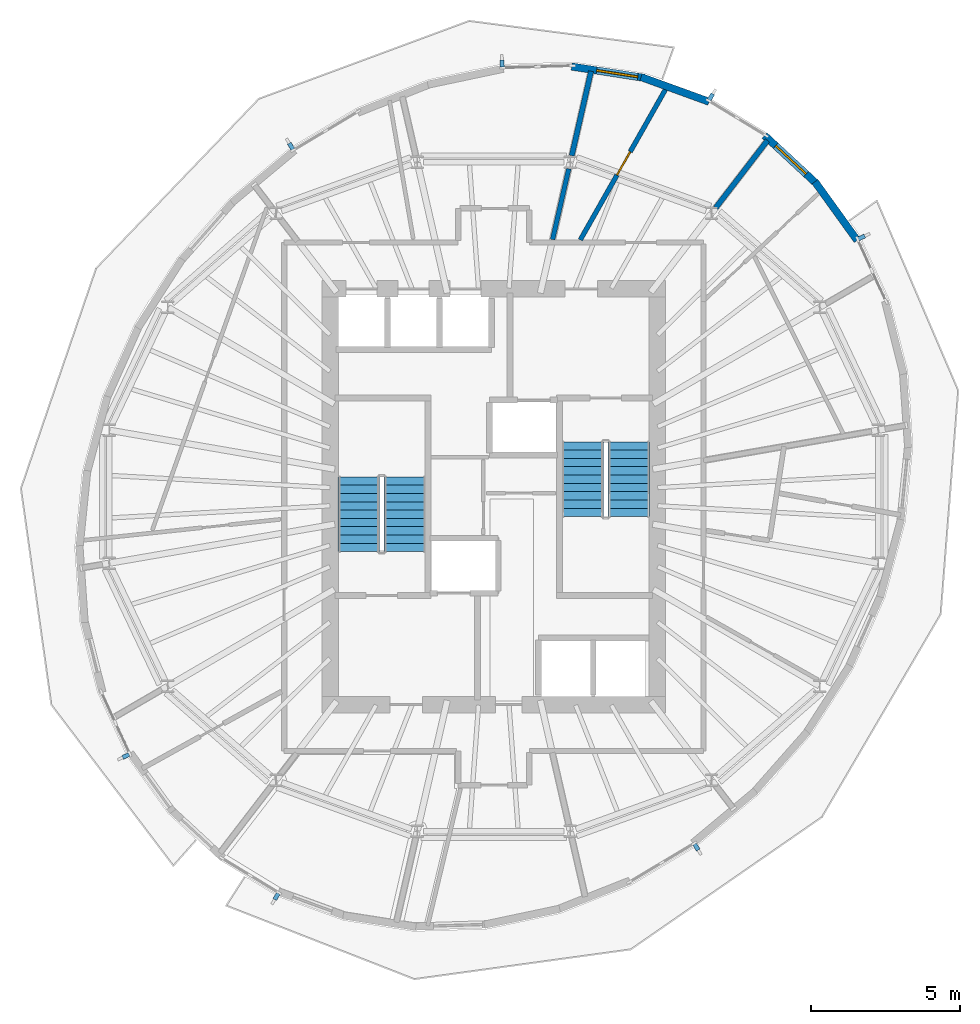
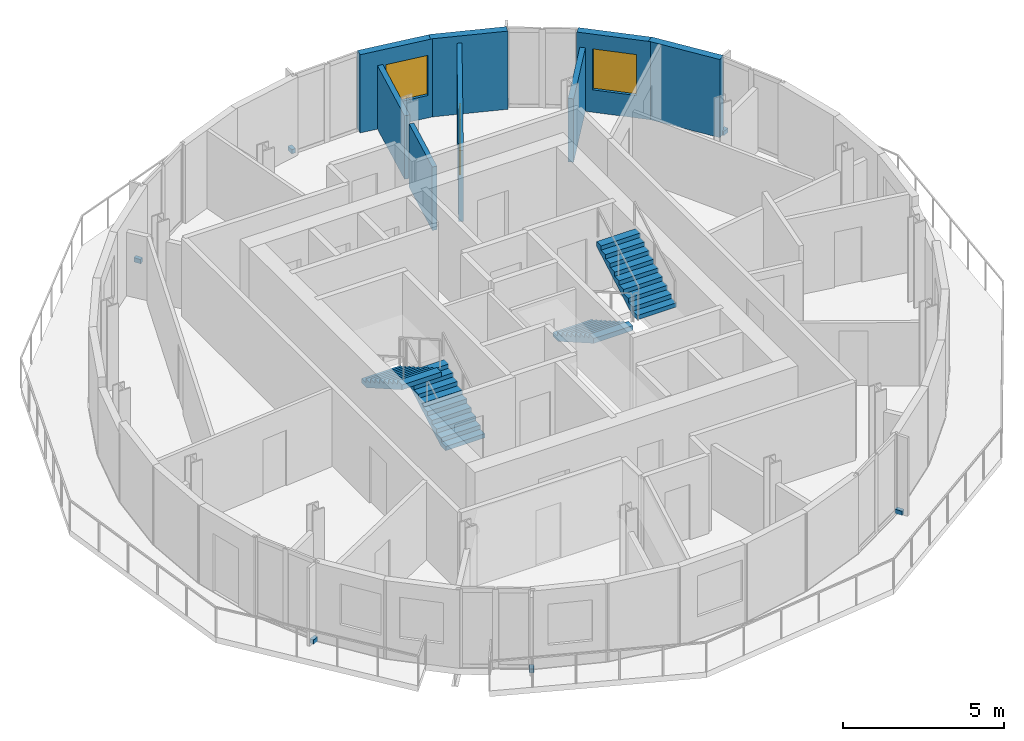
# One storey, part 7 of 11: 8 walls, 7 discrete accessories, 4 stair flights, 2 windows, 1 door, 3 openings, 2 elements without a shape of their own.
"""IFC4 building model written with IfcOpenShell, lengths in metres."""

from ifc_helpers import new_model, si_unit, direction, frame, frame_2d, origin, origin_2d, place, context, subcontext, project, spatial, polyline, rectangle, outline, extrude, material, layer, layer_set, type_object, element, fill, aggregate, save


model = new_model("IFC4")

# Units and contexts
model_context = context("Model", 3, precision=1e-05, world=origin(), true_north=direction((0.0, 1.0)))
body_context = subcontext(model_context, "Body", "Model", "MODEL_VIEW")
ifc_project = project(units=[si_unit("LENGTHUNIT", "METRE"), si_unit("AREAUNIT", "SQUARE_METRE"), si_unit("VOLUMEUNIT", "CUBIC_METRE"), si_unit("PLANEANGLEUNIT", "RADIAN"), si_unit("MASSUNIT", "GRAM", prefix="KILO")], contexts=[model_context])

# Site, building, storey
site_placement = place(None, origin())
site = spatial("IfcSite", under=ifc_project, at=site_placement, CompositionType="ELEMENT")
building_placement = place(site_placement, origin())
building = spatial("IfcBuilding", under=site, at=building_placement, Name="Veldorim Arch Residences", CompositionType="ELEMENT")
storey_placement = place(building_placement, frame((0.0, 0.0, 211.0400390625)))
storey = spatial("IfcBuildingStorey", under=building, at=storey_placement, Name="L63", CompositionType="ELEMENT", Elevation=211.0400390625)

# Walls
ifc_material_1 = material(Name="Lightweight Masonry Block & Gypsum", Category="masonry")
ifc_layer_1 = layer(ifc_material_1, 0.179931640625, Name="Compartment & Corridor Fire-Rated Party Wall 180")
ifc_layer_set_1 = layer_set([ifc_layer_1], Name="Lightweight Masonry Block & Gypsum")
wall_type_1 = type_object("IfcWallType", Name="Compartment & Corridor Fire-Rated Party Wall 180", PredefinedType="PARTITIONING", material=ifc_layer_set_1)
wall_1_placement = place(storey_placement, frame((39.473388671875, 33.727294921875, 0.0), z_axis=(0.0, 0.0, 1.0), x_axis=(0.609244614772, 0.792982344931, 0.0)))
element("IfcWall", 1, at=wall_1_placement, inside=storey, type_object=wall_type_1, Name="L63 interior wall WL-PIER-L63-03", PredefinedType="PARTITIONING", context=body_context, shape_type="SweptSolid", body=[
    extrude(rectangle(XDim=2.86083984375, YDim=0.179931640625, at=frame_2d((1.430419921875, 0.0))), origin(), (0.0, 0.0, 1.0), 2.4033203125),
])
wall_2_placement = place(storey_placement, frame((34.62646484375, 35.483154296875, 0.0), z_axis=(0.0, 0.0, 1.0), x_axis=(0.222945280676, 0.974830960641, 0.0)))
element("IfcWall", 2, at=wall_2_placement, inside=storey, type_object=wall_type_1, Name="L63 interior wall WL-PIER-L63-04", PredefinedType="PARTITIONING", context=body_context, shape_type="SweptSolid", body=[
    extrude(rectangle(XDim=2.916259765625, YDim=0.179931640625, at=frame_2d((1.4580078125, 0.0))), origin(), (0.0, 0.0, 1.0), 2.4033203125),
])
ifc_material_2 = material(Name="Precast concrete C40/50", Category="concrete")
ifc_layer_2 = layer(ifc_material_2, 0.25, Name="Tower Terracotta Spandrel & Pier Wall 250")
ifc_layer_set_2 = layer_set([ifc_layer_2], Name="Precast concrete C40/50")
wall_type_2 = type_object("IfcWallType", Name="Tower Terracotta Spandrel & Pier Wall 250", PredefinedType="SOLIDWALL", material=ifc_layer_set_2)
wall_3_placement = place(storey_placement, frame((36.960205078125, 38.1298828125, 0.0), z_axis=(0.0, 0.0, 1.0), x_axis=(0.939954186413, -0.341300640851, 0.0)))
element("IfcWall", 3, at=wall_3_placement, inside=storey, type_object=wall_type_2, Name="L63 terracotta facade wall 02", PredefinedType="SOLIDWALL", context=body_context, shape_type="SweptSolid", body=[
    extrude(rectangle(XDim=2.43701171875, YDim=0.25, at=frame_2d((1.218505859375, 0.0))), origin(), (0.0, 0.0, 1.0), 2.9599609375),
])

# Wall, opening, window
wall_4_placement = place(storey_placement, frame((34.622314453125, 38.483642578125, 0.0), z_axis=(0.0, 0.0, 1.0), x_axis=(0.988040195026, -0.154196540209, 0.0)))
wall_4 = element("IfcWall", 4, at=wall_4_placement, inside=storey, type_object=wall_type_2, Name="L63 terracotta facade wall 03", PredefinedType="SOLIDWALL", context=body_context, shape_type="SweptSolid", body=[
    extrude(rectangle(XDim=2.477783203125, YDim=0.25, at=frame_2d((1.23876953125, 0.0))), origin(), (0.0, 0.0, 1.0), 2.9599609375),
])
opening_1_placement = place(wall_4_placement, frame((0.85107421875, 0.0, 0.85009765625)))
opening_1 = element("IfcOpeningElement", 5, at=opening_1_placement, cuts=wall_4, Name="Opening WN-02", PredefinedType="OPENING", context=body_context, shape_type="SweptSolid", body=[
    extrude(rectangle(XDim=1.39990234375, YDim=1.52001953125, at=frame_2d((0.699951171875, 0.760009765625))), frame((0.0, 0.135009765625, 0.0), z_axis=(0.0, -1.0, 0.0), x_axis=(1.0, 0.0, 0.0)), (0.0, 0.0, 1.0), 0.27001953125),
])
ifc_material_3 = material(Name="Laminated Low-E Glass", Category="glass")
window_type = type_object("IfcWindowType", Name="Residential Casement Window 1400x1550", PartitioningType="SINGLE_PANEL", PredefinedType="WINDOW", material=ifc_material_3)
window_1_placement = place(opening_1_placement, origin())
window_1 = element("IfcWindow", 6, at=window_1_placement, inside=storey, type_object=window_type, Name="L63 solar-control facade window 03", OverallHeight=1.52001953125, OverallWidth=1.39990234375, PartitioningType="SINGLE_PANEL", PredefinedType="WINDOW", context=body_context, shape_type="SweptSolid", body=[
    extrude(rectangle(XDim=1.39990234375, YDim=1.52001953125, at=frame_2d((0.699951171875, 0.760009765625))), frame((0.0, 0.030029296875, 0.0), z_axis=(0.0, -1.0, 0.0), x_axis=(1.0, 0.0, 0.0)), (0.0, 0.0, 1.0), 0.06005859375),
])
fill(opening_1, window_1)

# Wall
wall_5_placement = place(storey_placement, frame((42.814208984375, 34.60546875, 0.0), z_axis=(0.0, 0.0, 1.0), x_axis=(0.584824573101, -0.811159798497, 0.0)))
element("IfcWall", 7, at=wall_5_placement, inside=storey, type_object=wall_type_2, Name="L63 terracotta facade wall 35", PredefinedType="SOLIDWALL", context=body_context, shape_type="SweptSolid", body=[
    extrude(rectangle(XDim=2.436767578125, YDim=0.25, at=frame_2d((1.21826171875, 0.0))), origin(), (0.0, 0.0, 1.0), 2.9599609375),
])

# Wall, opening, window
wall_6_placement = place(storey_placement, frame((41.118896484375, 36.1611328125, 0.0), z_axis=(0.0, 0.0, 1.0), x_axis=(0.733441361842, -0.679752726173, 0.0)))
wall_6 = element("IfcWall", 8, at=wall_6_placement, inside=storey, type_object=wall_type_2, Name="L63 terracotta facade wall 36", PredefinedType="SOLIDWALL", context=body_context, shape_type="SweptSolid", body=[
    extrude(rectangle(XDim=2.41455078125, YDim=0.25, at=frame_2d((1.207275390625, 0.0))), origin(), (0.0, 0.0, 1.0), 2.9599609375),
])
opening_2_placement = place(wall_6_placement, frame((0.507080078125, 0.0, 0.85009765625)))
opening_2 = element("IfcOpeningElement", 9, at=opening_2_placement, cuts=wall_6, Name="Opening WN-02", PredefinedType="OPENING", context=body_context, shape_type="SweptSolid", body=[
    extrude(rectangle(XDim=1.39990234375, YDim=1.550048828125, at=frame_2d((0.699951171875, 0.77490234375))), frame((0.0, 0.135009765625, 0.0), z_axis=(0.0, -1.0, 0.0), x_axis=(1.0, 0.0, 0.0)), (0.0, 0.0, 1.0), 0.27001953125),
])
window_2_placement = place(opening_2_placement, origin())
window_2 = element("IfcWindow", 10, at=window_2_placement, inside=storey, type_object=window_type, Name="L63 solar-control facade window 36", OverallHeight=1.550048828125, OverallWidth=1.39990234375, PartitioningType="SINGLE_PANEL", PredefinedType="WINDOW", context=body_context, shape_type="SweptSolid", body=[
    extrude(rectangle(XDim=1.39990234375, YDim=1.550048828125, at=frame_2d((0.699951171875, 0.77490234375))), frame((0.0, 0.030029296875, 0.0), z_axis=(0.0, -1.0, 0.0), x_axis=(1.0, 0.0, 0.0)), (0.0, 0.0, 1.0), 0.06005859375),
])
fill(opening_2, window_2)

# Wall, opening, door
ifc_material_4 = material(Name="Moisture-Resistant Gypsum & Stud", Category="gypsum")
ifc_layer_3 = layer(ifc_material_4, 0.159912109375, Name="Wet-Area Moisture-Resistant Plumbing Wall 160")
ifc_layer_set_3 = layer_set([ifc_layer_3], Name="Moisture-Resistant Gypsum & Stud")
wall_type_3 = type_object("IfcWallType", Name="Wet-Area Moisture-Resistant Plumbing Wall 160", PredefinedType="PLUMBINGWALL", material=ifc_layer_set_3)
wall_7_placement = place(storey_placement, frame((34.91357421875, 32.64697265625, 0.0), z_axis=(0.0, 0.0, 1.0), x_axis=(0.492777372346, 0.870155423648, 0.0)))
wall_7 = element("IfcWall", 11, at=wall_7_placement, inside=storey, type_object=wall_type_3, Name="L63 interior wall WL-RES-L63-022", PredefinedType="PLUMBINGWALL", context=body_context, shape_type="SweptSolid", body=[
    extrude(rectangle(XDim=5.91943359375, YDim=0.159912109375, at=frame_2d((2.959716796875, 0.0))), origin(), (0.0, 0.0, 1.0), 2.69189453125),
])
opening_3_placement = place(wall_7_placement, frame((2.509765625, 0.0, 0.0)))
opening_3 = element("IfcOpeningElement", 12, at=opening_3_placement, cuts=wall_7, Name="Opening DR-WC", PredefinedType="OPENING", context=body_context, shape_type="SweptSolid", body=[
    extrude(rectangle(XDim=0.89990234375, YDim=2.10009765625, at=frame_2d((0.449951171875, 1.050048828125))), frame((0.0, 0.08984375, 0.0), z_axis=(0.0, -1.0, 0.0), x_axis=(1.0, 0.0, 0.0)), (0.0, 0.0, 1.0), 0.179931640625),
])
ifc_material_5 = material(Name="Laminate Timber", Category="wood")
door_type = type_object("IfcDoorType", Name="Bathroom & Accessible WC Moisture-Sealed Door 900x2100", OperationType="SINGLE_SWING_LEFT", PredefinedType="DOOR", material=ifc_material_5)
door_placement = place(opening_3_placement, origin())
door = element("IfcDoor", 13, at=door_placement, inside=storey, type_object=door_type, Name="L63 interior door DR-RES-L63-008", OperationType="SINGLE_SWING_RIGHT", OverallHeight=2.10009765625, OverallWidth=0.89990234375, PredefinedType="DOOR", context=body_context, shape_type="SweptSolid", body=[
    extrude(rectangle(XDim=0.89990234375, YDim=2.10009765625, at=frame_2d((0.449951171875, 1.050048828125))), frame((0.0, 0.02490234375, 0.0), z_axis=(0.0, -1.0, 0.0), x_axis=(1.0, 0.0, 0.0)), (0.0, 0.0, 1.0), 0.050048828125),
])
fill(opening_3, door)

# Wall
wall_8_placement = place(storey_placement, frame((33.97998046875, 32.657470703125, 0.0), z_axis=(0.0, 0.0, 1.0), x_axis=(0.223006482474, 0.974816961678, 0.0)))
element("IfcWall", 14, at=wall_8_placement, inside=storey, type_object=wall_type_3, Name="L63 interior wall WL-RES-L63-024", PredefinedType="PLUMBINGWALL", context=body_context, shape_type="SweptSolid", body=[
    extrude(rectangle(XDim=2.444580078125, YDim=0.159912109375, at=frame_2d((1.22216796875, 0.0))), origin(), (0.0, 0.0, 1.0), 2.4033203125),
])

# Stair, stair flights
ifc_material_6 = material(Name="Concrete C40/50", Category="concrete")
stair_type = type_object("IfcStairType", Name="Reinforced Concrete Dogleg Exit Staircase", PredefinedType="HALF_TURN_STAIR", material=ifc_material_6)
stair_1_placement = place(storey_placement, origin())
stair_1 = element("IfcStair", 15, at=stair_1_placement, inside=storey, type_object=stair_type, Name="L63 Exit Staircase ST-1", PredefinedType="HALF_TURN_STAIR")
ifc_material_7 = material(Name="Concrete C40/50", Category="concrete")
stair_flight_type = type_object("IfcStairFlightType", Name="Reinforced Concrete Stair Flight 1400", PredefinedType="STRAIGHT", material=ifc_material_7)
stair_flight_1_placement = place(storey_placement, frame((29.010009765625, 22.14990234375, 0.0), z_axis=(0.0, 0.0, 1.0), x_axis=(0.0, 1.0, 0.0)))
stair_flight_1 = element("IfcStairFlight", 16, at=stair_flight_1_placement, type_object=stair_flight_type, Name="ST-1 flight 1", NumberOfRisers=10, NumberOfTreads=9, PredefinedType="STRAIGHT", RiserHeight=0.16, TreadLength=0.28, context=body_context, shape_type="SweptSolid", body=[
    extrude(outline(polyline([(0.0, 0.0), (0.0, 0.159912109375), (0.280029296875, 0.159912109375), (0.280029296875, 0.320068359375), (0.56005859375, 0.320068359375), (0.56005859375, 0.47998046875), (0.840087890625, 0.47998046875), (0.840087890625, 0.639892578125), (1.1201171875, 0.639892578125), (1.1201171875, 0.800048828125), (1.39990234375, 0.800048828125), (1.39990234375, 0.9599609375), (1.679931640625, 0.9599609375), (1.679931640625, 1.1201171875), (1.9599609375, 1.1201171875), (1.9599609375, 1.280029296875), (2.239990234375, 1.280029296875), (2.239990234375, 1.43994140625), (2.52001953125, 1.43994140625), (2.52001953125, 1.60009765625), (2.52001953125, 1.255859375), (0.322265625, 0.0), (0.0, 0.0)])), frame((0.0, 0.699951171875, 0.0), z_axis=(0.0, -1.0, 0.0), x_axis=(1.0, 0.0, 0.0)), (0.0, 0.0, 1.0), 1.39990234375),
])
stair_flight_2_placement = place(storey_placement, frame((27.449951171875, 24.669921875, 1.599853515625), z_axis=(0.0, 0.0, 1.0), x_axis=(0.0, -1.0, 0.0)))
stair_flight_2 = element("IfcStairFlight", 17, at=stair_flight_2_placement, type_object=stair_flight_type, Name="ST-1 flight 2", NumberOfRisers=10, NumberOfTreads=9, PredefinedType="STRAIGHT", RiserHeight=0.16, TreadLength=0.28, context=body_context, shape_type="SweptSolid", body=[
    extrude(outline(polyline([(0.0, 0.0), (0.0, 0.159912109375), (0.280029296875, 0.159912109375), (0.280029296875, 0.320068359375), (0.56005859375, 0.320068359375), (0.56005859375, 0.47998046875), (0.840087890625, 0.47998046875), (0.840087890625, 0.639892578125), (1.1201171875, 0.639892578125), (1.1201171875, 0.800048828125), (1.39990234375, 0.800048828125), (1.39990234375, 0.9599609375), (1.679931640625, 0.9599609375), (1.679931640625, 1.1201171875), (1.9599609375, 1.1201171875), (1.9599609375, 1.280029296875), (2.239990234375, 1.280029296875), (2.239990234375, 1.43994140625), (2.52001953125, 1.43994140625), (2.52001953125, 1.60009765625), (2.52001953125, 1.255859375), (0.322265625, 0.0), (0.0, 0.0)])), frame((0.0, 0.699951171875, 0.0), z_axis=(0.0, -1.0, 0.0), x_axis=(1.0, 0.0, 0.0)), (0.0, 0.0, 1.0), 1.39990234375),
])
aggregate(stair_1, [stair_flight_1, stair_flight_2])

stair_2_placement = place(storey_placement, origin())
stair_2 = element("IfcStair", 18, at=stair_2_placement, inside=storey, type_object=stair_type, Name="L63 Exit Staircase ST-2", PredefinedType="HALF_TURN_STAIR")
stair_flight_3_placement = place(storey_placement, frame((34.989990234375, 25.85009765625, 0.0), z_axis=(0.0, 0.0, 1.0), x_axis=(0.0, -1.0, 0.0)))
stair_flight_3 = element("IfcStairFlight", 19, at=stair_flight_3_placement, type_object=stair_flight_type, Name="ST-2 flight 1", NumberOfRisers=10, NumberOfTreads=9, PredefinedType="STRAIGHT", RiserHeight=0.16, TreadLength=0.28, context=body_context, shape_type="SweptSolid", body=[
    extrude(outline(polyline([(0.0, 0.0), (0.0, 0.159912109375), (0.280029296875, 0.159912109375), (0.280029296875, 0.320068359375), (0.56005859375, 0.320068359375), (0.56005859375, 0.47998046875), (0.840087890625, 0.47998046875), (0.840087890625, 0.639892578125), (1.1201171875, 0.639892578125), (1.1201171875, 0.800048828125), (1.39990234375, 0.800048828125), (1.39990234375, 0.9599609375), (1.679931640625, 0.9599609375), (1.679931640625, 1.1201171875), (1.9599609375, 1.1201171875), (1.9599609375, 1.280029296875), (2.239990234375, 1.280029296875), (2.239990234375, 1.43994140625), (2.52001953125, 1.43994140625), (2.52001953125, 1.60009765625), (2.52001953125, 1.255859375), (0.322265625, 0.0), (0.0, 0.0)])), frame((0.0, 0.699951171875, 0.0), z_axis=(0.0, -1.0, 0.0), x_axis=(1.0, 0.0, 0.0)), (0.0, 0.0, 1.0), 1.39990234375),
])
stair_flight_4_placement = place(storey_placement, frame((36.550048828125, 23.330078125, 1.599853515625), z_axis=(0.0, 0.0, 1.0), x_axis=(0.0, 1.0, 0.0)))
stair_flight_4 = element("IfcStairFlight", 20, at=stair_flight_4_placement, type_object=stair_flight_type, Name="ST-2 flight 2", NumberOfRisers=10, NumberOfTreads=9, PredefinedType="STRAIGHT", RiserHeight=0.16, TreadLength=0.28, context=body_context, shape_type="SweptSolid", body=[
    extrude(outline(polyline([(0.0, 0.0), (0.0, 0.159912109375), (0.280029296875, 0.159912109375), (0.280029296875, 0.320068359375), (0.56005859375, 0.320068359375), (0.56005859375, 0.47998046875), (0.840087890625, 0.47998046875), (0.840087890625, 0.639892578125), (1.1201171875, 0.639892578125), (1.1201171875, 0.800048828125), (1.39990234375, 0.800048828125), (1.39990234375, 0.9599609375), (1.679931640625, 0.9599609375), (1.679931640625, 1.1201171875), (1.9599609375, 1.1201171875), (1.9599609375, 1.280029296875), (2.239990234375, 1.280029296875), (2.239990234375, 1.43994140625), (2.52001953125, 1.43994140625), (2.52001953125, 1.60009765625), (2.52001953125, 1.255859375), (0.322265625, 0.0), (0.0, 0.0)])), frame((0.0, 0.699951171875, 0.0), z_axis=(0.0, -1.0, 0.0), x_axis=(1.0, 0.0, 0.0)), (0.0, 0.0, 1.0), 1.39990234375),
])
aggregate(stair_2, [stair_flight_3, stair_flight_4])

# Discrete accessories
ifc_material_8 = material(Name="Stainless Steel", Category="steel")
discrete_accessory_type = type_object("IfcDiscreteAccessoryType", Name="Stainless Steel Facade Fin Anchor Bracket", PredefinedType="BRACKET", material=ifc_material_8)
for number, where, z_axis, x_axis, name in (
    (21, (39.313232421875, 37.460693359375, -0.02001953125), (0.0, 0.0, 1.0), (0.854186693447, -0.519966434242, 0.0), "L63 stainless fin anchor bracket 01"),
    (22, (32.281005859375, 38.58349609375, -0.02001953125), (0.0, 0.0, 1.0), (0.99952286999, 0.030887414385, 0.0), "L63 stainless fin anchor bracket 04"),
    (23, (25.17626953125, 35.79541015625, -0.02001953125), (0.0, 0.0, 1.0), (0.858512728225, 0.512792253721, 0.0), "L63 stainless fin anchor bracket 07"),
    (24, (19.617919921875, 15.271484375, -0.02001953125), (0.0, 0.0, 1.0), (-0.418025632026, 0.908435232127, 0.0), "L63 stainless fin anchor bracket 16"),
    (25, (24.686767578125, 10.539306640625, -0.02001953125), (0.0, 0.0, 1.0), (-0.854186693447, 0.519966434242, 0.0), "L63 stainless fin anchor bracket 19"),
    (26, (38.82373046875, 12.20458984375, -0.02001953125), (0.0, 0.0, 1.0), (-0.858512728225, -0.512792253721, 0.0), "L63 stainless fin anchor bracket 25"),
    (27, (44.382080078125, 32.728515625, -0.02001953125), (0.0, 0.0, 1.0), (0.418025632026, -0.908435232127, 0.0), "L63 stainless fin anchor bracket 34"),
):
    element("IfcDiscreteAccessory", number, at=place(storey_placement, frame(where, z_axis=z_axis, x_axis=x_axis)), inside=storey, type_object=discrete_accessory_type, Name=name, PredefinedType="BRACKET", context=body_context, shape_type="SweptSolid", body=[
        extrude(rectangle(XDim=0.139892578125, YDim=0.239990234375, at=origin_2d()), origin(), (0.0, 0.0, 1.0), 0.159912109375),
    ])

save(model, "model.ifc")
